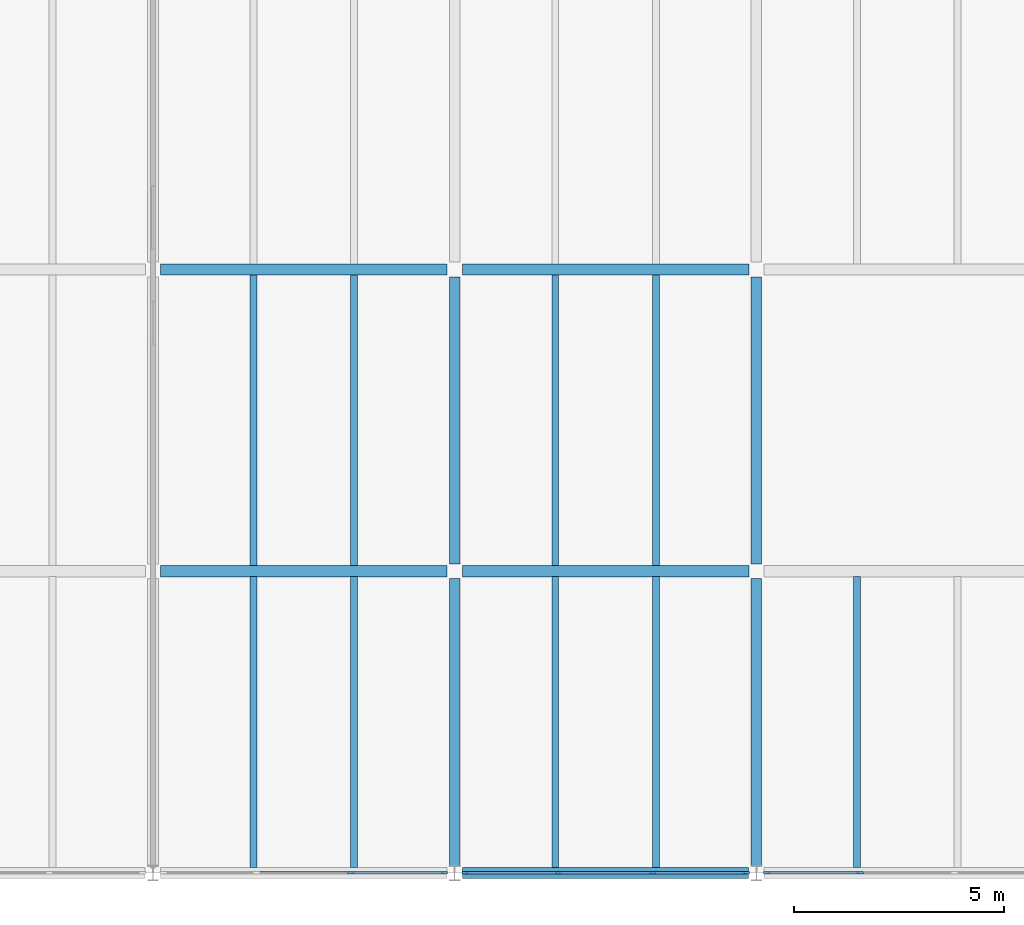
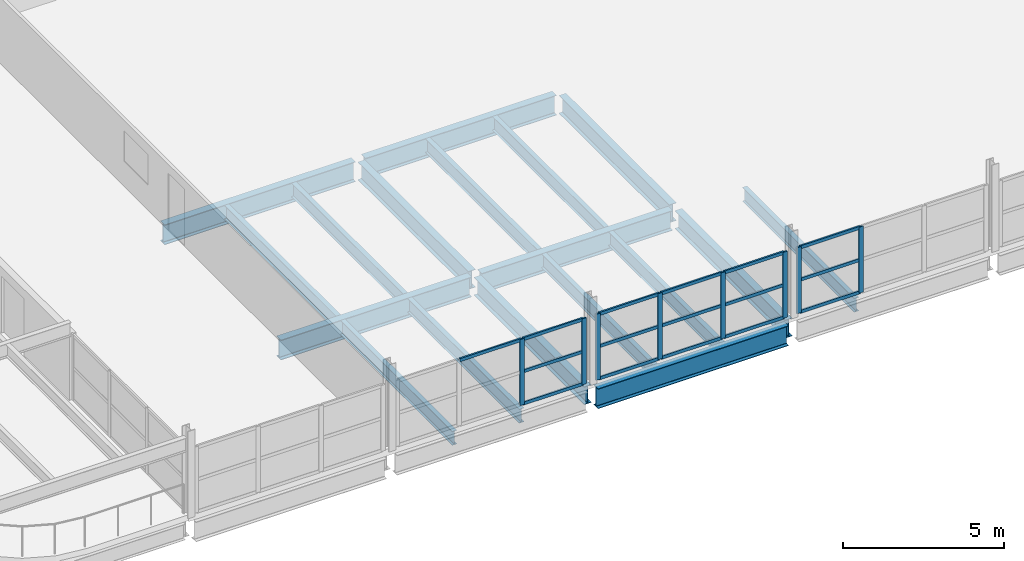
# One storey, part 7 of 25: 24 members, 18 beams, 3 elements without a shape of their own.
"""IFC4 building model written with IfcOpenShell, lengths in metres."""

from ifc_helpers import new_model, si_unit, direction, frame, origin, origin_2d, place, context, subcontext, project, spatial, rectangle, i_section, extrude, material, material_profile, profile_set, type_object, element, aggregate, save


model = new_model("IFC4")

# Units and contexts
model_context = context("Model", 3, precision=1e-05, world=origin(), true_north=direction((0.0, 1.0)))
body_context = subcontext(model_context, "Body", "Model", "MODEL_VIEW")
ifc_project = project(units=[si_unit("LENGTHUNIT", "METRE"), si_unit("AREAUNIT", "SQUARE_METRE"), si_unit("VOLUMEUNIT", "CUBIC_METRE"), si_unit("PLANEANGLEUNIT", "RADIAN"), si_unit("MASSUNIT", "GRAM", prefix="KILO")], contexts=[model_context])

# Site, building, storey
site_placement = place(None, origin())
site = spatial("IfcSite", under=ifc_project, at=site_placement, CompositionType="ELEMENT")
building_placement = place(site_placement, origin())
building = spatial("IfcBuilding", under=site, at=building_placement, Name="Vaelcorin Mobility Hub", CompositionType="ELEMENT")
storey_placement = place(building_placement, frame((0.0, 0.0, 21.0)))
storey = spatial("IfcBuildingStorey", under=building, at=storey_placement, Name="L05", CompositionType="ELEMENT", Elevation=21.0)

# Beams
ifc_material_1 = material(Name="Steel ASTM A992 Grade 50", Category="steel")
ifc_material_profile_1 = material_profile(ifc_material_1, i_section(OverallWidth=0.166015625, OverallDepth=0.528076171875, WebThickness=0.009765625, FlangeThickness=0.013671875, FilletRadius=0.013916015625, at=origin_2d()), Name="W21X50")
ifc_profile_set_1 = profile_set([ifc_material_profile_1], Name="Steel ASTM A992 Grade 50")
beam_type_1 = type_object("IfcBeamType", Name="BM-W21X50", PredefinedType="JOIST", material=ifc_profile_set_1)
for number, where, z_axis, x_axis, name in (
    (1, (52.800048828125, 84.132080078125, -0.52392578125), (0.0, 1.0, 0.0), (-1.0, 0.0, 0.0), "L05 Beam V3-L05-J-02-01-1"),
    (2, (55.199951171875, 84.132080078125, -0.52392578125), (0.0, 1.0, 0.0), (-1.0, 0.0, 0.0), "L05 Beam V3-L05-J-02-01-2"),
    (3, (52.800048828125, 91.33203125, -0.52392578125), (0.0, 1.0, 0.0), (-1.0, 0.0, 0.0), "L05 Beam V3-L05-J-02-02-1"),
    (4, (55.199951171875, 91.33203125, -0.52392578125), (0.0, 1.0, 0.0), (-1.0, 0.0, 0.0), "L05 Beam V3-L05-J-02-02-2"),
    (5, (60.0, 84.132080078125, -0.52392578125), (0.0, 1.0, 0.0), (-1.0, 0.0, 0.0), "L05 Beam V3-L05-J-03-01-1"),
    (6, (62.39990234375, 84.132080078125, -0.52392578125), (0.0, 1.0, 0.0), (-1.0, 0.0, 0.0), "L05 Beam V3-L05-J-03-01-2"),
    (7, (60.0, 91.33203125, -0.52392578125), (0.0, 1.0, 0.0), (-1.0, 0.0, 0.0), "L05 Beam V3-L05-J-03-02-1"),
    (8, (62.39990234375, 91.33203125, -0.52392578125), (0.0, 1.0, 0.0), (-1.0, 0.0, 0.0), "L05 Beam V3-L05-J-03-02-2"),
    (9, (67.199951171875, 84.132080078125, -0.52392578125), (0.0, 1.0, 0.0), (-1.0, 0.0, 0.0), "L05 Beam V3-L05-J-04-01-1"),
):
    element("IfcBeam", number, at=place(storey_placement, frame(where, z_axis=z_axis, x_axis=x_axis)), inside=storey, type_object=beam_type_1, Name=name, PredefinedType="JOIST", context=body_context, shape_type="SweptSolid", body=[
        extrude(i_section(OverallWidth=0.166015625, OverallDepth=0.528076171875, WebThickness=0.009765625, FlangeThickness=0.013671875, FilletRadius=0.013916015625, at=origin_2d()), origin(), (0.0, 0.0, 1.0), 6.93603515625),
    ])
ifc_material_profile_2 = material_profile(ifc_material_1, i_section(OverallWidth=0.25390625, OverallDepth=0.68310546875, WebThickness=0.012451171875, FlangeThickness=0.018798828125, FilletRadius=0.01611328125, at=origin_2d()), Name="W27X94")
ifc_profile_set_2 = profile_set([ifc_material_profile_2], Name="Steel ASTM A992 Grade 50")
beam_type_2 = type_object("IfcBeamType", Name="BM-W27X94", PredefinedType="BEAM", material=ifc_profile_set_2)
beam_1_placement = place(storey_placement, frame((57.60009765625, 84.179931640625, -0.60205078125), z_axis=(0.0, 1.0, 0.0), x_axis=(-1.0, 0.0, 0.0)))
element("IfcBeam", 10, at=beam_1_placement, inside=storey, type_object=beam_type_2, Name="L05 Beam V3-L05-GY-03-01", PredefinedType="BEAM", context=body_context, shape_type="SweptSolid", body=[
    extrude(i_section(OverallWidth=0.25390625, OverallDepth=0.68310546875, WebThickness=0.012451171875, FlangeThickness=0.018798828125, FilletRadius=0.01611328125, at=origin_2d()), origin(), (0.0, 0.0, 1.0), 6.843994140625),
])
beam_2_placement = place(storey_placement, frame((57.60009765625, 91.3759765625, -0.60205078125), z_axis=(0.0, 1.0, 0.0), x_axis=(-1.0, 0.0, 0.0)))
element("IfcBeam", 11, at=beam_2_placement, inside=storey, type_object=beam_type_2, Name="L05 Beam V3-L05-GY-03-02", PredefinedType="BEAM", context=body_context, shape_type="SweptSolid", body=[
    extrude(i_section(OverallWidth=0.25390625, OverallDepth=0.68310546875, WebThickness=0.012451171875, FlangeThickness=0.018798828125, FilletRadius=0.01611328125, at=origin_2d()), origin(), (0.0, 0.0, 1.0), 6.84814453125),
])
beam_3_placement = place(storey_placement, frame((64.800048828125, 84.179931640625, -0.60205078125), z_axis=(0.0, 1.0, 0.0), x_axis=(-1.0, 0.0, 0.0)))
element("IfcBeam", 12, at=beam_3_placement, inside=storey, type_object=beam_type_2, Name="L05 Beam V3-L05-GY-04-01", PredefinedType="BEAM", context=body_context, shape_type="SweptSolid", body=[
    extrude(i_section(OverallWidth=0.25390625, OverallDepth=0.68310546875, WebThickness=0.012451171875, FlangeThickness=0.018798828125, FilletRadius=0.01611328125, at=origin_2d()), origin(), (0.0, 0.0, 1.0), 6.843994140625),
])
beam_4_placement = place(storey_placement, frame((64.800048828125, 91.3759765625, -0.60205078125), z_axis=(0.0, 1.0, 0.0), x_axis=(-1.0, 0.0, 0.0)))
element("IfcBeam", 13, at=beam_4_placement, inside=storey, type_object=beam_type_2, Name="L05 Beam V3-L05-GY-04-02", PredefinedType="BEAM", context=body_context, shape_type="SweptSolid", body=[
    extrude(i_section(OverallWidth=0.25390625, OverallDepth=0.68310546875, WebThickness=0.012451171875, FlangeThickness=0.018798828125, FilletRadius=0.01611328125, at=origin_2d()), origin(), (0.0, 0.0, 1.0), 6.84814453125),
])
ifc_material_profile_3 = material_profile(ifc_material_1, i_section(OverallWidth=0.26708984375, OverallDepth=0.757080078125, WebThickness=0.013916015625, FlangeThickness=0.019287109375, FilletRadius=0.01708984375, at=origin_2d()), Name="W30X108")
ifc_profile_set_3 = profile_set([ifc_material_profile_3], Name="Steel ASTM A992 Grade 50")
beam_type_3 = type_object("IfcBeamType", Name="BM-W30X108", PredefinedType="BEAM", material=ifc_profile_set_3)
beam_5_placement = place(storey_placement, frame((57.783935546875, 84.0, -0.637939453125), z_axis=(1.0, 0.0, 0.0), x_axis=(0.0, 1.0, 0.0)))
element("IfcBeam", 14, at=beam_5_placement, inside=storey, type_object=beam_type_3, Name="L05 Beam V3-L05-GX-01-03", PredefinedType="BEAM", context=body_context, shape_type="SweptSolid", body=[
    extrude(i_section(OverallWidth=0.26708984375, OverallDepth=0.757080078125, WebThickness=0.013916015625, FlangeThickness=0.019287109375, FilletRadius=0.01708984375, at=origin_2d()), origin(), (0.0, 0.0, 1.0), 6.83203125),
])
for number, where, z_axis, x_axis, name in (
    (15, (50.58203125, 91.199951171875, -0.637939453125), (1.0, 0.0, 0.0), (0.0, 1.0, 0.0), "L05 Beam V3-L05-GX-02-02"),
    (16, (57.781982421875, 91.199951171875, -0.637939453125), (1.0, 0.0, 0.0), (0.0, 1.0, 0.0), "L05 Beam V3-L05-GX-02-03"),
    (17, (50.58203125, 98.39990234375, -0.637939453125), (1.0, 0.0, 0.0), (0.0, 1.0, 0.0), "L05 Beam V3-L05-GX-03-02"),
    (18, (57.781982421875, 98.39990234375, -0.637939453125), (1.0, 0.0, 0.0), (0.0, 1.0, 0.0), "L05 Beam V3-L05-GX-03-03"),
):
    element("IfcBeam", number, at=place(storey_placement, frame(where, z_axis=z_axis, x_axis=x_axis)), inside=storey, type_object=beam_type_3, Name=name, PredefinedType="BEAM", context=body_context, shape_type="SweptSolid", body=[
        extrude(i_section(OverallWidth=0.26708984375, OverallDepth=0.757080078125, WebThickness=0.013916015625, FlangeThickness=0.019287109375, FilletRadius=0.01708984375, at=origin_2d()), origin(), (0.0, 0.0, 1.0), 6.8359375),
    ])

# Curtain wall, members
ifc_material_2 = material(Name="Anodised aluminium 6063-T6", Category="aluminium")
curtain_wall_type = type_object("IfcCurtainWallType", Name="CW-SPT-A", PredefinedType="NOTDEFINED", material=ifc_material_2)
curtain_wall_1_placement = place(storey_placement, origin())
curtain_wall_1 = element("IfcCurtainWall", 19, at=curtain_wall_1_placement, inside=storey, type_object=curtain_wall_type, Name="L05 Curtain Wall CW-V3-S-02", PredefinedType="NOTDEFINED")
ifc_material_profile_4 = material_profile(ifc_material_2, rectangle(XDim=0.06005859375, YDim=0.159912109375, at=origin_2d()), Name="ALU-M60X160")
ifc_profile_set_4 = profile_set([ifc_material_profile_4], Name="Anodised aluminium 6063-T6")
member_type_1 = type_object("IfcMemberType", Name="CW-MULL-160", PredefinedType="MULLION", material=ifc_profile_set_4)
member_1_placement = place(storey_placement, frame((57.35009765625, 84.0, 0.0), z_axis=(0.0, 0.0, 1.0), x_axis=(0.0, -1.0, 0.0)))
member_1 = element("IfcMember", 20, at=member_1_placement, type_object=member_type_1, Name="CW5 mullion 1", PredefinedType="MULLION", context=body_context, shape_type="SweptSolid", body=[
    extrude(rectangle(XDim=0.06005859375, YDim=0.159912109375, at=origin_2d()), origin(), (0.0, 0.0, 1.0), 2.5),
])
member_2_placement = place(storey_placement, frame((55.126708984375, 84.0, 0.0), z_axis=(0.0, 0.0, 1.0), x_axis=(0.0, -1.0, 0.0)))
member_2 = element("IfcMember", 21, at=member_2_placement, type_object=member_type_1, Name="CW5 mullion 2", PredefinedType="MULLION", context=body_context, shape_type="SweptSolid", body=[
    extrude(rectangle(XDim=0.06005859375, YDim=0.159912109375, at=origin_2d()), origin(), (0.0, 0.0, 1.0), 2.5),
])

curtain_wall_2_placement = place(storey_placement, origin())
curtain_wall_2 = element("IfcCurtainWall", 22, at=curtain_wall_2_placement, inside=storey, type_object=curtain_wall_type, Name="L05 Curtain Wall CW-V3-S-03", PredefinedType="NOTDEFINED")
member_3_placement = place(storey_placement, frame((64.550048828125, 84.0, 0.0), z_axis=(0.0, 0.0, 1.0), x_axis=(0.0, -1.0, 0.0)))
member_3 = element("IfcMember", 23, at=member_3_placement, type_object=member_type_1, Name="CW5 mullion 1", PredefinedType="MULLION", context=body_context, shape_type="SweptSolid", body=[
    extrude(rectangle(XDim=0.06005859375, YDim=0.159912109375, at=origin_2d()), origin(), (0.0, 0.0, 1.0), 2.5),
])
member_4_placement = place(storey_placement, frame((62.32666015625, 84.0, 0.0), z_axis=(0.0, 0.0, 1.0), x_axis=(0.0, -1.0, 0.0)))
member_4 = element("IfcMember", 24, at=member_4_placement, type_object=member_type_1, Name="CW5 mullion 2", PredefinedType="MULLION", context=body_context, shape_type="SweptSolid", body=[
    extrude(rectangle(XDim=0.06005859375, YDim=0.159912109375, at=origin_2d()), origin(), (0.0, 0.0, 1.0), 2.5),
])
member_5_placement = place(storey_placement, frame((60.0732421875, 84.0, 0.0), z_axis=(0.0, 0.0, 1.0), x_axis=(0.0, -1.0, 0.0)))
member_5 = element("IfcMember", 25, at=member_5_placement, type_object=member_type_1, Name="CW5 mullion 3", PredefinedType="MULLION", context=body_context, shape_type="SweptSolid", body=[
    extrude(rectangle(XDim=0.06005859375, YDim=0.159912109375, at=origin_2d()), origin(), (0.0, 0.0, 1.0), 2.5),
])
member_6_placement = place(storey_placement, frame((57.85009765625, 84.0, 0.0), z_axis=(0.0, 0.0, 1.0), x_axis=(0.0, -1.0, 0.0)))
member_6 = element("IfcMember", 26, at=member_6_placement, type_object=member_type_1, Name="CW5 mullion 4", PredefinedType="MULLION", context=body_context, shape_type="SweptSolid", body=[
    extrude(rectangle(XDim=0.06005859375, YDim=0.159912109375, at=origin_2d()), origin(), (0.0, 0.0, 1.0), 2.5),
])

curtain_wall_3_placement = place(storey_placement, origin())
curtain_wall_3 = element("IfcCurtainWall", 27, at=curtain_wall_3_placement, inside=storey, type_object=curtain_wall_type, Name="L05 Curtain Wall CW-V3-S-04", PredefinedType="NOTDEFINED")
member_7_placement = place(storey_placement, frame((67.2734375, 84.0, 0.0), z_axis=(0.0, 0.0, 1.0), x_axis=(0.0, -1.0, 0.0)))
member_7 = element("IfcMember", 28, at=member_7_placement, type_object=member_type_1, Name="CW5 mullion 3", PredefinedType="MULLION", context=body_context, shape_type="SweptSolid", body=[
    extrude(rectangle(XDim=0.06005859375, YDim=0.159912109375, at=origin_2d()), origin(), (0.0, 0.0, 1.0), 2.5),
])
member_8_placement = place(storey_placement, frame((65.050048828125, 84.0, 0.0), z_axis=(0.0, 0.0, 1.0), x_axis=(0.0, -1.0, 0.0)))
member_8 = element("IfcMember", 29, at=member_8_placement, type_object=member_type_1, Name="CW5 mullion 4", PredefinedType="MULLION", context=body_context, shape_type="SweptSolid", body=[
    extrude(rectangle(XDim=0.06005859375, YDim=0.159912109375, at=origin_2d()), origin(), (0.0, 0.0, 1.0), 2.5),
])

# Member
ifc_material_profile_5 = material_profile(ifc_material_2, rectangle(XDim=0.06005859375, YDim=0.1201171875, at=origin_2d()), Name="ALU-T60X120")
ifc_profile_set_5 = profile_set([ifc_material_profile_5], Name="Anodised aluminium 6063-T6")
member_type_2 = type_object("IfcMemberType", Name="CW-TRAN-140", PredefinedType="USERDEFINED", material=ifc_profile_set_5)
member_9_placement = place(storey_placement, frame((57.320068359375, 84.0, 0.030029296875), z_axis=(-1.0, 0.0, 0.0), x_axis=(0.0, -1.0, 0.0)))
member_9 = element("IfcMember", 30, at=member_9_placement, type_object=member_type_2, Name="CW5 transom 1.1", ObjectType="TRANSOM", PredefinedType="USERDEFINED", context=body_context, shape_type="SweptSolid", body=[
    extrude(rectangle(XDim=0.06005859375, YDim=0.1201171875, at=origin_2d()), origin(), (0.0, 0.0, 1.0), 2.163330078125),
])

member_10_placement = place(storey_placement, frame((57.320068359375, 84.0, 1.25), z_axis=(-1.0, 0.0, 0.0), x_axis=(0.0, -1.0, 0.0)))
member_10 = element("IfcMember", 31, at=member_10_placement, type_object=member_type_2, Name="CW5 transom 1.2", ObjectType="TRANSOM", PredefinedType="USERDEFINED", context=body_context, shape_type="SweptSolid", body=[
    extrude(rectangle(XDim=0.06005859375, YDim=0.1201171875, at=origin_2d()), origin(), (0.0, 0.0, 1.0), 2.163330078125),
])

member_11_placement = place(storey_placement, frame((57.320068359375, 84.0, 2.469970703125), z_axis=(-1.0, 0.0, 0.0), x_axis=(0.0, -1.0, 0.0)))
member_11 = element("IfcMember", 32, at=member_11_placement, type_object=member_type_2, Name="CW5 transom 1.3", ObjectType="TRANSOM", PredefinedType="USERDEFINED", context=body_context, shape_type="SweptSolid", body=[
    extrude(rectangle(XDim=0.06005859375, YDim=0.1201171875, at=origin_2d()), origin(), (0.0, 0.0, 1.0), 2.163330078125),
])

member_12_placement = place(storey_placement, frame((55.0966796875, 84.0, 2.469970703125), z_axis=(-1.0, 0.0, 0.0), x_axis=(0.0, -1.0, 0.0)))
member_12 = element("IfcMember", 33, at=member_12_placement, type_object=member_type_2, Name="CW5 transom 2.3", ObjectType="TRANSOM", PredefinedType="USERDEFINED", context=body_context, shape_type="SweptSolid", body=[
    extrude(rectangle(XDim=0.06005859375, YDim=0.1201171875, at=origin_2d()), origin(), (0.0, 0.0, 1.0), 2.193359375),
])

aggregate(curtain_wall_1, [member_1, member_2, member_9, member_10, member_11, member_12])

member_13_placement = place(storey_placement, frame((64.52001953125, 84.0, 0.030029296875), z_axis=(-1.0, 0.0, 0.0), x_axis=(0.0, -1.0, 0.0)))
member_13 = element("IfcMember", 34, at=member_13_placement, type_object=member_type_2, Name="CW5 transom 1.1", ObjectType="TRANSOM", PredefinedType="USERDEFINED", context=body_context, shape_type="SweptSolid", body=[
    extrude(rectangle(XDim=0.06005859375, YDim=0.1201171875, at=origin_2d()), origin(), (0.0, 0.0, 1.0), 2.163330078125),
])

member_14_placement = place(storey_placement, frame((64.52001953125, 84.0, 1.25), z_axis=(-1.0, 0.0, 0.0), x_axis=(0.0, -1.0, 0.0)))
member_14 = element("IfcMember", 35, at=member_14_placement, type_object=member_type_2, Name="CW5 transom 1.2", ObjectType="TRANSOM", PredefinedType="USERDEFINED", context=body_context, shape_type="SweptSolid", body=[
    extrude(rectangle(XDim=0.06005859375, YDim=0.1201171875, at=origin_2d()), origin(), (0.0, 0.0, 1.0), 2.163330078125),
])

member_15_placement = place(storey_placement, frame((64.52001953125, 84.0, 2.469970703125), z_axis=(-1.0, 0.0, 0.0), x_axis=(0.0, -1.0, 0.0)))
member_15 = element("IfcMember", 36, at=member_15_placement, type_object=member_type_2, Name="CW5 transom 1.3", ObjectType="TRANSOM", PredefinedType="USERDEFINED", context=body_context, shape_type="SweptSolid", body=[
    extrude(rectangle(XDim=0.06005859375, YDim=0.1201171875, at=origin_2d()), origin(), (0.0, 0.0, 1.0), 2.163330078125),
])

member_16_placement = place(storey_placement, frame((62.296630859375, 84.0, 0.030029296875), z_axis=(-1.0, 0.0, 0.0), x_axis=(0.0, -1.0, 0.0)))
member_16 = element("IfcMember", 37, at=member_16_placement, type_object=member_type_2, Name="CW5 transom 2.1", ObjectType="TRANSOM", PredefinedType="USERDEFINED", context=body_context, shape_type="SweptSolid", body=[
    extrude(rectangle(XDim=0.06005859375, YDim=0.1201171875, at=origin_2d()), origin(), (0.0, 0.0, 1.0), 2.193359375),
])

member_17_placement = place(storey_placement, frame((62.296630859375, 84.0, 1.25), z_axis=(-1.0, 0.0, 0.0), x_axis=(0.0, -1.0, 0.0)))
member_17 = element("IfcMember", 38, at=member_17_placement, type_object=member_type_2, Name="CW5 transom 2.2", ObjectType="TRANSOM", PredefinedType="USERDEFINED", context=body_context, shape_type="SweptSolid", body=[
    extrude(rectangle(XDim=0.06005859375, YDim=0.1201171875, at=origin_2d()), origin(), (0.0, 0.0, 1.0), 2.193359375),
])

member_18_placement = place(storey_placement, frame((62.296630859375, 84.0, 2.469970703125), z_axis=(-1.0, 0.0, 0.0), x_axis=(0.0, -1.0, 0.0)))
member_18 = element("IfcMember", 39, at=member_18_placement, type_object=member_type_2, Name="CW5 transom 2.3", ObjectType="TRANSOM", PredefinedType="USERDEFINED", context=body_context, shape_type="SweptSolid", body=[
    extrude(rectangle(XDim=0.06005859375, YDim=0.1201171875, at=origin_2d()), origin(), (0.0, 0.0, 1.0), 2.193359375),
])

member_19_placement = place(storey_placement, frame((60.043212890625, 84.0, 0.030029296875), z_axis=(-1.0, 0.0, 0.0), x_axis=(0.0, -1.0, 0.0)))
member_19 = element("IfcMember", 40, at=member_19_placement, type_object=member_type_2, Name="CW5 transom 3.1", ObjectType="TRANSOM", PredefinedType="USERDEFINED", context=body_context, shape_type="SweptSolid", body=[
    extrude(rectangle(XDim=0.06005859375, YDim=0.1201171875, at=origin_2d()), origin(), (0.0, 0.0, 1.0), 2.163330078125),
])

member_20_placement = place(storey_placement, frame((60.043212890625, 84.0, 1.25), z_axis=(-1.0, 0.0, 0.0), x_axis=(0.0, -1.0, 0.0)))
member_20 = element("IfcMember", 41, at=member_20_placement, type_object=member_type_2, Name="CW5 transom 3.2", ObjectType="TRANSOM", PredefinedType="USERDEFINED", context=body_context, shape_type="SweptSolid", body=[
    extrude(rectangle(XDim=0.06005859375, YDim=0.1201171875, at=origin_2d()), origin(), (0.0, 0.0, 1.0), 2.163330078125),
])

member_21_placement = place(storey_placement, frame((60.043212890625, 84.0, 2.469970703125), z_axis=(-1.0, 0.0, 0.0), x_axis=(0.0, -1.0, 0.0)))
member_21 = element("IfcMember", 42, at=member_21_placement, type_object=member_type_2, Name="CW5 transom 3.3", ObjectType="TRANSOM", PredefinedType="USERDEFINED", context=body_context, shape_type="SweptSolid", body=[
    extrude(rectangle(XDim=0.06005859375, YDim=0.1201171875, at=origin_2d()), origin(), (0.0, 0.0, 1.0), 2.163330078125),
])

aggregate(curtain_wall_2, [member_3, member_4, member_5, member_6, member_13, member_14, member_15, member_16, member_17, member_18, member_19, member_20, member_21])

member_22_placement = place(storey_placement, frame((67.243408203125, 84.0, 0.030029296875), z_axis=(-1.0, 0.0, 0.0), x_axis=(0.0, -1.0, 0.0)))
member_22 = element("IfcMember", 43, at=member_22_placement, type_object=member_type_2, Name="CW5 transom 3.1", ObjectType="TRANSOM", PredefinedType="USERDEFINED", context=body_context, shape_type="SweptSolid", body=[
    extrude(rectangle(XDim=0.06005859375, YDim=0.1201171875, at=origin_2d()), origin(), (0.0, 0.0, 1.0), 2.163330078125),
])

member_23_placement = place(storey_placement, frame((67.243408203125, 84.0, 1.25), z_axis=(-1.0, 0.0, 0.0), x_axis=(0.0, -1.0, 0.0)))
member_23 = element("IfcMember", 44, at=member_23_placement, type_object=member_type_2, Name="CW5 transom 3.2", ObjectType="TRANSOM", PredefinedType="USERDEFINED", context=body_context, shape_type="SweptSolid", body=[
    extrude(rectangle(XDim=0.06005859375, YDim=0.1201171875, at=origin_2d()), origin(), (0.0, 0.0, 1.0), 2.163330078125),
])

member_24_placement = place(storey_placement, frame((67.243408203125, 84.0, 2.469970703125), z_axis=(-1.0, 0.0, 0.0), x_axis=(0.0, -1.0, 0.0)))
member_24 = element("IfcMember", 45, at=member_24_placement, type_object=member_type_2, Name="CW5 transom 3.3", ObjectType="TRANSOM", PredefinedType="USERDEFINED", context=body_context, shape_type="SweptSolid", body=[
    extrude(rectangle(XDim=0.06005859375, YDim=0.1201171875, at=origin_2d()), origin(), (0.0, 0.0, 1.0), 2.163330078125),
])

aggregate(curtain_wall_3, [member_7, member_8, member_22, member_23, member_24])

save(model, "model.ifc")
